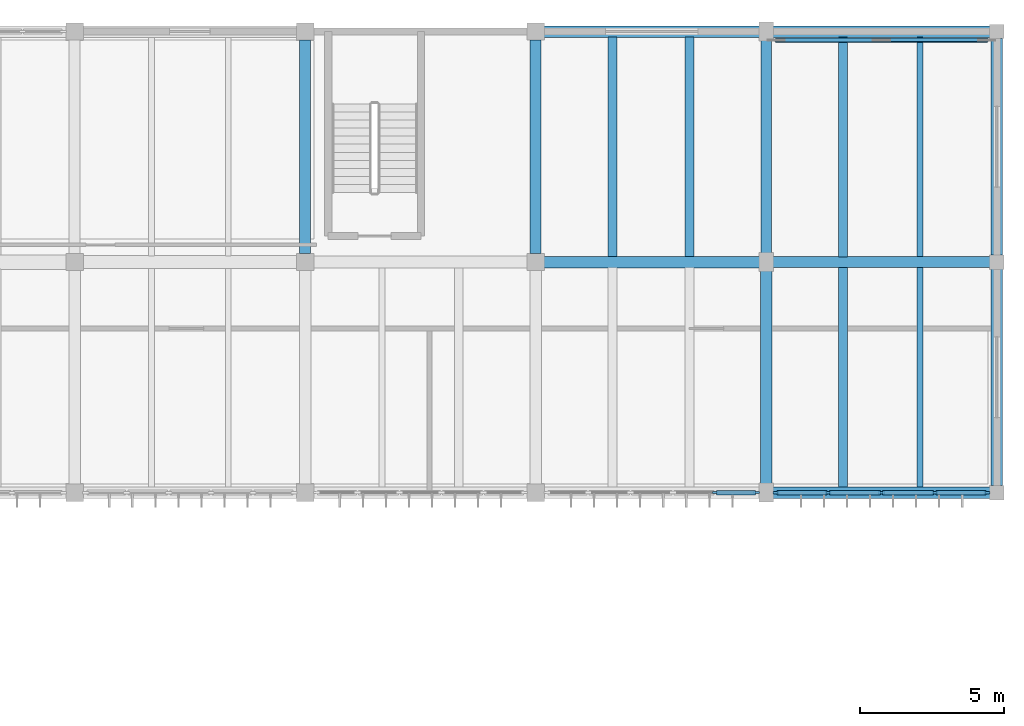
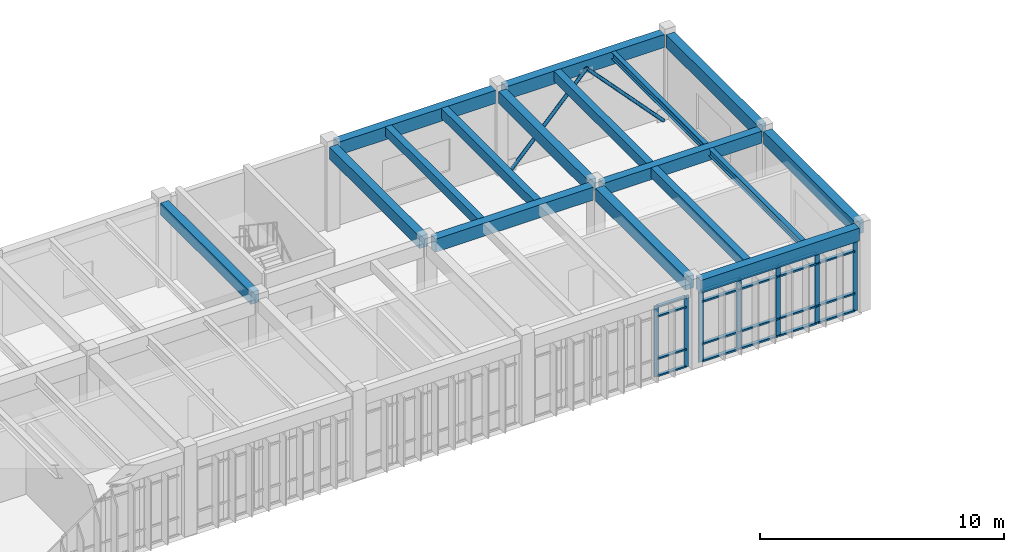
# One storey, part 33 of 79: 29 members, 17 beams, 2 elements without a shape of their own.
"""IFC4 building model written with IfcOpenShell, lengths in metres."""

from ifc_helpers import new_model, si_unit, direction, frame, origin, origin_2d, place, context, subcontext, project, spatial, rectangle, hollow_circle, i_section, extrude, material, material_profile, profile_set, type_object, element, aggregate, save


model = new_model("IFC4")

# Units and contexts
model_context = context("Model", 3, precision=1e-05, world=origin(), true_north=direction((0.0, 1.0)))
body_context = subcontext(model_context, "Body", "Model", "MODEL_VIEW")
ifc_project = project(units=[si_unit("LENGTHUNIT", "METRE"), si_unit("AREAUNIT", "SQUARE_METRE"), si_unit("VOLUMEUNIT", "CUBIC_METRE"), si_unit("PLANEANGLEUNIT", "RADIAN"), si_unit("MASSUNIT", "GRAM", prefix="KILO")], contexts=[model_context])

# Site, building, storey
site_placement = place(None, origin())
site = spatial("IfcSite", under=ifc_project, at=site_placement, CompositionType="ELEMENT")
building_placement = place(site_placement, origin())
building = spatial("IfcBuilding", under=site, at=building_placement, Name="Tlaxcora Railside Police Headquarters", CompositionType="ELEMENT")
storey_placement = place(building_placement, frame((0.0, 0.0, 9.0)))
storey = spatial("IfcBuildingStorey", under=building, at=storey_placement, Name="L02", CompositionType="ELEMENT", Elevation=9.0)

# Curtain wall, members
ifc_material_1 = material(Name="Thermally broken low-E insulated glazing", Category="glass")
curtain_wall_type_1 = type_object("IfcCurtainWallType", Name="Unitised Curtain Wall Assembly CW-15", PredefinedType="NOTDEFINED", material=ifc_material_1)
curtain_wall_1_placement = place(storey_placement, origin())
curtain_wall_1 = element("IfcCurtainWall", 1, at=curtain_wall_1_placement, inside=storey, type_object=curtain_wall_type_1, Name="V6 L02 curtain wall 158", PredefinedType="NOTDEFINED")
ifc_material_2 = material(Name="Anodised aluminium framing", Category="aluminium")
ifc_material_profile_1 = material_profile(ifc_material_2, rectangle(XDim=0.074951171875, YDim=0.199951171875, at=origin_2d()), Name="AL75X200")
ifc_profile_set_1 = profile_set([ifc_material_profile_1], Name="Anodised aluminium framing")
member_type_1 = type_object("IfcMemberType", Name="Curtain Wall Mullion CW-58", PredefinedType="MULLION", material=ifc_profile_set_1)
member_1_placement = place(storey_placement, frame((149.030029296875, 76.800048828125, 0.0), z_axis=(0.0, 0.0, 1.0), x_axis=(0.0, 1.0, 0.0)))
member_1 = element("IfcMember", 2, at=member_1_placement, type_object=member_type_1, Name="CW mullion 5", PredefinedType="MULLION", context=body_context, shape_type="SweptSolid", body=[
    extrude(rectangle(XDim=0.074951171875, YDim=0.199951171875, at=origin_2d()), origin(), (0.0, 0.0, 1.0), 3.550048828125),
])
member_2_placement = place(storey_placement, frame((150.46240234375, 76.800048828125, 0.0), z_axis=(0.0, 0.0, 1.0), x_axis=(0.0, 1.0, 0.0)))
member_2 = element("IfcMember", 3, at=member_2_placement, type_object=member_type_1, Name="CW mullion 6", PredefinedType="MULLION", context=body_context, shape_type="SweptSolid", body=[
    extrude(rectangle(XDim=0.074951171875, YDim=0.199951171875, at=origin_2d()), origin(), (0.0, 0.0, 1.0), 3.550048828125),
])

curtain_wall_type_2 = type_object("IfcCurtainWallType", Name="Unitised Curtain Wall Assembly CW-83", PredefinedType="NOTDEFINED", material=ifc_material_1)
curtain_wall_2_placement = place(storey_placement, origin())
curtain_wall_2 = element("IfcCurtainWall", 4, at=curtain_wall_2_placement, inside=storey, type_object=curtain_wall_type_2, Name="V6 L02 curtain wall 159", PredefinedType="NOTDEFINED")
ifc_material_profile_2 = material_profile(ifc_material_2, rectangle(XDim=0.080078125, YDim=0.2099609375, at=origin_2d()), Name="AL80X210")
ifc_profile_set_2 = profile_set([ifc_material_profile_2], Name="Anodised aluminium framing")
member_type_2 = type_object("IfcMemberType", Name="Curtain Wall Mullion CW-76", PredefinedType="MULLION", material=ifc_profile_set_2)
member_3_placement = place(storey_placement, frame((151.139892578125, 76.800048828125, 0.0), z_axis=(0.0, 0.0, 1.0), x_axis=(0.0, 1.0, 0.0)))
member_3 = element("IfcMember", 5, at=member_3_placement, type_object=member_type_2, Name="CW mullion 1", PredefinedType="MULLION", context=body_context, shape_type="SweptSolid", body=[
    extrude(rectangle(XDim=0.080078125, YDim=0.2099609375, at=origin_2d()), origin(), (0.0, 0.0, 1.0), 3.550048828125),
])
member_4_placement = place(storey_placement, frame((152.949951171875, 76.800048828125, 0.0), z_axis=(0.0, 0.0, 1.0), x_axis=(0.0, 1.0, 0.0)))
member_4 = element("IfcMember", 6, at=member_4_placement, type_object=member_type_2, Name="CW mullion 2", PredefinedType="MULLION", context=body_context, shape_type="SweptSolid", body=[
    extrude(rectangle(XDim=0.080078125, YDim=0.2099609375, at=origin_2d()), origin(), (0.0, 0.0, 1.0), 3.550048828125),
])
member_5_placement = place(storey_placement, frame((154.800048828125, 76.800048828125, 0.0), z_axis=(0.0, 0.0, 1.0), x_axis=(0.0, 1.0, 0.0)))
member_5 = element("IfcMember", 7, at=member_5_placement, type_object=member_type_2, Name="CW mullion 3", PredefinedType="MULLION", context=body_context, shape_type="SweptSolid", body=[
    extrude(rectangle(XDim=0.080078125, YDim=0.2099609375, at=origin_2d()), origin(), (0.0, 0.0, 1.0), 3.550048828125),
])
member_6_placement = place(storey_placement, frame((156.64990234375, 76.800048828125, 0.0), z_axis=(0.0, 0.0, 1.0), x_axis=(0.0, 1.0, 0.0)))
member_6 = element("IfcMember", 8, at=member_6_placement, type_object=member_type_2, Name="CW mullion 4", PredefinedType="MULLION", context=body_context, shape_type="SweptSolid", body=[
    extrude(rectangle(XDim=0.080078125, YDim=0.2099609375, at=origin_2d()), origin(), (0.0, 0.0, 1.0), 3.550048828125),
])
member_7_placement = place(storey_placement, frame((158.4599609375, 76.800048828125, 0.0), z_axis=(0.0, 0.0, 1.0), x_axis=(0.0, 1.0, 0.0)))
member_7 = element("IfcMember", 9, at=member_7_placement, type_object=member_type_2, Name="CW mullion 5", PredefinedType="MULLION", context=body_context, shape_type="SweptSolid", body=[
    extrude(rectangle(XDim=0.080078125, YDim=0.2099609375, at=origin_2d()), origin(), (0.0, 0.0, 1.0), 3.550048828125),
])

# Member
ifc_material_profile_3 = material_profile(ifc_material_2, rectangle(XDim=0.14990234375, YDim=0.074951171875, at=origin_2d()), Name="AL75X150")
ifc_profile_set_3 = profile_set([ifc_material_profile_3], Name="Anodised aluminium framing")
member_type_3 = type_object("IfcMemberType", Name="Curtain Wall Transom CW-28", PredefinedType="USERDEFINED", material=ifc_profile_set_3)
member_8_placement = place(storey_placement, frame((149.0673828125, 76.800048828125, 0.03759765625), z_axis=(1.0, 0.0, 0.0), x_axis=(0.0, 1.0, 0.0)))
member_8 = element("IfcMember", 10, at=member_8_placement, type_object=member_type_3, Name="CW transom 5.1", ObjectType="TRANSOM", PredefinedType="USERDEFINED", context=body_context, shape_type="SweptSolid", body=[
    extrude(rectangle(XDim=0.14990234375, YDim=0.074951171875, at=origin_2d()), origin(), (0.0, 0.0, 1.0), 1.357666015625),
])

member_9_placement = place(storey_placement, frame((149.0673828125, 76.800048828125, 0.89990234375), z_axis=(1.0, 0.0, 0.0), x_axis=(0.0, 1.0, 0.0)))
member_9 = element("IfcMember", 11, at=member_9_placement, type_object=member_type_3, Name="CW transom 5.2", ObjectType="TRANSOM", PredefinedType="USERDEFINED", context=body_context, shape_type="SweptSolid", body=[
    extrude(rectangle(XDim=0.14990234375, YDim=0.074951171875, at=origin_2d()), origin(), (0.0, 0.0, 1.0), 1.357666015625),
])

member_10_placement = place(storey_placement, frame((149.0673828125, 76.800048828125, 3.02001953125), z_axis=(1.0, 0.0, 0.0), x_axis=(0.0, 1.0, 0.0)))
member_10 = element("IfcMember", 12, at=member_10_placement, type_object=member_type_3, Name="CW transom 5.3", ObjectType="TRANSOM", PredefinedType="USERDEFINED", context=body_context, shape_type="SweptSolid", body=[
    extrude(rectangle(XDim=0.14990234375, YDim=0.074951171875, at=origin_2d()), origin(), (0.0, 0.0, 1.0), 1.357666015625),
])

member_11_placement = place(storey_placement, frame((149.0673828125, 76.800048828125, 3.512451171875), z_axis=(1.0, 0.0, 0.0), x_axis=(0.0, 1.0, 0.0)))
member_11 = element("IfcMember", 13, at=member_11_placement, type_object=member_type_3, Name="CW transom 5.4", ObjectType="TRANSOM", PredefinedType="USERDEFINED", context=body_context, shape_type="SweptSolid", body=[
    extrude(rectangle(XDim=0.14990234375, YDim=0.074951171875, at=origin_2d()), origin(), (0.0, 0.0, 1.0), 1.357666015625),
])

aggregate(curtain_wall_1, [member_1, member_2, member_8, member_9, member_10, member_11])

ifc_material_profile_4 = material_profile(ifc_material_2, rectangle(XDim=0.159912109375, YDim=0.080078125, at=origin_2d()), Name="AL80X160")
ifc_profile_set_4 = profile_set([ifc_material_profile_4], Name="Anodised aluminium framing")
member_type_4 = type_object("IfcMemberType", Name="Curtain Wall Transom CW-82", PredefinedType="USERDEFINED", material=ifc_profile_set_4)
member_12_placement = place(storey_placement, frame((151.179931640625, 76.800048828125, 0.0400390625), z_axis=(1.0, 0.0, 0.0), x_axis=(0.0, 1.0, 0.0)))
member_12 = element("IfcMember", 14, at=member_12_placement, type_object=member_type_4, Name="CW transom 1.1", ObjectType="TRANSOM", PredefinedType="USERDEFINED", context=body_context, shape_type="SweptSolid", body=[
    extrude(rectangle(XDim=0.159912109375, YDim=0.080078125, at=origin_2d()), origin(), (0.0, 0.0, 1.0), 1.72998046875),
])

member_13_placement = place(storey_placement, frame((151.179931640625, 76.800048828125, 0.89990234375), z_axis=(1.0, 0.0, 0.0), x_axis=(0.0, 1.0, 0.0)))
member_13 = element("IfcMember", 15, at=member_13_placement, type_object=member_type_4, Name="CW transom 1.2", ObjectType="TRANSOM", PredefinedType="USERDEFINED", context=body_context, shape_type="SweptSolid", body=[
    extrude(rectangle(XDim=0.159912109375, YDim=0.080078125, at=origin_2d()), origin(), (0.0, 0.0, 1.0), 1.72998046875),
])

member_14_placement = place(storey_placement, frame((151.179931640625, 76.800048828125, 3.02001953125), z_axis=(1.0, 0.0, 0.0), x_axis=(0.0, 1.0, 0.0)))
member_14 = element("IfcMember", 16, at=member_14_placement, type_object=member_type_4, Name="CW transom 1.3", ObjectType="TRANSOM", PredefinedType="USERDEFINED", context=body_context, shape_type="SweptSolid", body=[
    extrude(rectangle(XDim=0.159912109375, YDim=0.080078125, at=origin_2d()), origin(), (0.0, 0.0, 1.0), 1.72998046875),
])

member_15_placement = place(storey_placement, frame((151.179931640625, 76.800048828125, 3.510009765625), z_axis=(1.0, 0.0, 0.0), x_axis=(0.0, 1.0, 0.0)))
member_15 = element("IfcMember", 17, at=member_15_placement, type_object=member_type_4, Name="CW transom 1.4", ObjectType="TRANSOM", PredefinedType="USERDEFINED", context=body_context, shape_type="SweptSolid", body=[
    extrude(rectangle(XDim=0.159912109375, YDim=0.080078125, at=origin_2d()), origin(), (0.0, 0.0, 1.0), 1.72998046875),
])

member_16_placement = place(storey_placement, frame((152.989990234375, 76.800048828125, 0.0400390625), z_axis=(1.0, 0.0, 0.0), x_axis=(0.0, 1.0, 0.0)))
member_16 = element("IfcMember", 18, at=member_16_placement, type_object=member_type_4, Name="CW transom 2.1", ObjectType="TRANSOM", PredefinedType="USERDEFINED", context=body_context, shape_type="SweptSolid", body=[
    extrude(rectangle(XDim=0.159912109375, YDim=0.080078125, at=origin_2d()), origin(), (0.0, 0.0, 1.0), 1.77001953125),
])

member_17_placement = place(storey_placement, frame((152.989990234375, 76.800048828125, 0.89990234375), z_axis=(1.0, 0.0, 0.0), x_axis=(0.0, 1.0, 0.0)))
member_17 = element("IfcMember", 19, at=member_17_placement, type_object=member_type_4, Name="CW transom 2.2", ObjectType="TRANSOM", PredefinedType="USERDEFINED", context=body_context, shape_type="SweptSolid", body=[
    extrude(rectangle(XDim=0.159912109375, YDim=0.080078125, at=origin_2d()), origin(), (0.0, 0.0, 1.0), 1.77001953125),
])

member_18_placement = place(storey_placement, frame((152.989990234375, 76.800048828125, 3.02001953125), z_axis=(1.0, 0.0, 0.0), x_axis=(0.0, 1.0, 0.0)))
member_18 = element("IfcMember", 20, at=member_18_placement, type_object=member_type_4, Name="CW transom 2.3", ObjectType="TRANSOM", PredefinedType="USERDEFINED", context=body_context, shape_type="SweptSolid", body=[
    extrude(rectangle(XDim=0.159912109375, YDim=0.080078125, at=origin_2d()), origin(), (0.0, 0.0, 1.0), 1.77001953125),
])

member_19_placement = place(storey_placement, frame((152.989990234375, 76.800048828125, 3.510009765625), z_axis=(1.0, 0.0, 0.0), x_axis=(0.0, 1.0, 0.0)))
member_19 = element("IfcMember", 21, at=member_19_placement, type_object=member_type_4, Name="CW transom 2.4", ObjectType="TRANSOM", PredefinedType="USERDEFINED", context=body_context, shape_type="SweptSolid", body=[
    extrude(rectangle(XDim=0.159912109375, YDim=0.080078125, at=origin_2d()), origin(), (0.0, 0.0, 1.0), 1.77001953125),
])

member_20_placement = place(storey_placement, frame((154.840087890625, 76.800048828125, 0.0400390625), z_axis=(1.0, 0.0, 0.0), x_axis=(0.0, 1.0, 0.0)))
member_20 = element("IfcMember", 22, at=member_20_placement, type_object=member_type_4, Name="CW transom 3.1", ObjectType="TRANSOM", PredefinedType="USERDEFINED", context=body_context, shape_type="SweptSolid", body=[
    extrude(rectangle(XDim=0.159912109375, YDim=0.080078125, at=origin_2d()), origin(), (0.0, 0.0, 1.0), 1.77001953125),
])

member_21_placement = place(storey_placement, frame((154.840087890625, 76.800048828125, 0.89990234375), z_axis=(1.0, 0.0, 0.0), x_axis=(0.0, 1.0, 0.0)))
member_21 = element("IfcMember", 23, at=member_21_placement, type_object=member_type_4, Name="CW transom 3.2", ObjectType="TRANSOM", PredefinedType="USERDEFINED", context=body_context, shape_type="SweptSolid", body=[
    extrude(rectangle(XDim=0.159912109375, YDim=0.080078125, at=origin_2d()), origin(), (0.0, 0.0, 1.0), 1.77001953125),
])

member_22_placement = place(storey_placement, frame((154.840087890625, 76.800048828125, 3.02001953125), z_axis=(1.0, 0.0, 0.0), x_axis=(0.0, 1.0, 0.0)))
member_22 = element("IfcMember", 24, at=member_22_placement, type_object=member_type_4, Name="CW transom 3.3", ObjectType="TRANSOM", PredefinedType="USERDEFINED", context=body_context, shape_type="SweptSolid", body=[
    extrude(rectangle(XDim=0.159912109375, YDim=0.080078125, at=origin_2d()), origin(), (0.0, 0.0, 1.0), 1.77001953125),
])

member_23_placement = place(storey_placement, frame((154.840087890625, 76.800048828125, 3.510009765625), z_axis=(1.0, 0.0, 0.0), x_axis=(0.0, 1.0, 0.0)))
member_23 = element("IfcMember", 25, at=member_23_placement, type_object=member_type_4, Name="CW transom 3.4", ObjectType="TRANSOM", PredefinedType="USERDEFINED", context=body_context, shape_type="SweptSolid", body=[
    extrude(rectangle(XDim=0.159912109375, YDim=0.080078125, at=origin_2d()), origin(), (0.0, 0.0, 1.0), 1.77001953125),
])

member_24_placement = place(storey_placement, frame((156.68994140625, 76.800048828125, 0.0400390625), z_axis=(1.0, 0.0, 0.0), x_axis=(0.0, 1.0, 0.0)))
member_24 = element("IfcMember", 26, at=member_24_placement, type_object=member_type_4, Name="CW transom 4.1", ObjectType="TRANSOM", PredefinedType="USERDEFINED", context=body_context, shape_type="SweptSolid", body=[
    extrude(rectangle(XDim=0.159912109375, YDim=0.080078125, at=origin_2d()), origin(), (0.0, 0.0, 1.0), 1.72998046875),
])

member_25_placement = place(storey_placement, frame((156.68994140625, 76.800048828125, 0.89990234375), z_axis=(1.0, 0.0, 0.0), x_axis=(0.0, 1.0, 0.0)))
member_25 = element("IfcMember", 27, at=member_25_placement, type_object=member_type_4, Name="CW transom 4.2", ObjectType="TRANSOM", PredefinedType="USERDEFINED", context=body_context, shape_type="SweptSolid", body=[
    extrude(rectangle(XDim=0.159912109375, YDim=0.080078125, at=origin_2d()), origin(), (0.0, 0.0, 1.0), 1.72998046875),
])

member_26_placement = place(storey_placement, frame((156.68994140625, 76.800048828125, 3.02001953125), z_axis=(1.0, 0.0, 0.0), x_axis=(0.0, 1.0, 0.0)))
member_26 = element("IfcMember", 28, at=member_26_placement, type_object=member_type_4, Name="CW transom 4.3", ObjectType="TRANSOM", PredefinedType="USERDEFINED", context=body_context, shape_type="SweptSolid", body=[
    extrude(rectangle(XDim=0.159912109375, YDim=0.080078125, at=origin_2d()), origin(), (0.0, 0.0, 1.0), 1.72998046875),
])

member_27_placement = place(storey_placement, frame((156.68994140625, 76.800048828125, 3.510009765625), z_axis=(1.0, 0.0, 0.0), x_axis=(0.0, 1.0, 0.0)))
member_27 = element("IfcMember", 29, at=member_27_placement, type_object=member_type_4, Name="CW transom 4.4", ObjectType="TRANSOM", PredefinedType="USERDEFINED", context=body_context, shape_type="SweptSolid", body=[
    extrude(rectangle(XDim=0.159912109375, YDim=0.080078125, at=origin_2d()), origin(), (0.0, 0.0, 1.0), 1.72998046875),
])

aggregate(curtain_wall_2, [member_3, member_4, member_5, member_6, member_7, member_12, member_13, member_14, member_15, member_16, member_17, member_18, member_19, member_20, member_21, member_22, member_23, member_24, member_25, member_26, member_27])

# Members
ifc_material_3 = material(Name="Steel ASTM A992 Grade 50", Category="steel")
ifc_material_profile_5 = material_profile(ifc_material_3, hollow_circle(Radius=0.083984375, WallThickness=0.008056640625, at=origin_2d()), Name="CHS168X8")
ifc_profile_set_5 = profile_set([ifc_material_profile_5], Name="Steel ASTM A992 Grade 50")
member_type_5 = type_object("IfcMemberType", Name="Diagonal Brace Member MB-55", PredefinedType="BRACE", material=ifc_profile_set_5)
for number, where, z_axis, x_axis, name in (
    (30, (151.14990234375, 92.5, 0.0), (0.683341881634, 0.0, 0.730098536367), (0.0, 1.0, 0.0), "Chevron brace 7A"),
    (31, (158.449951171875, 92.5, 0.0), (-0.683317517493, 0.0, 0.730121339427), (0.0, -1.0, 0.0), "Chevron brace 7B"),
):
    element("IfcMember", number, at=place(storey_placement, frame(where, z_axis=z_axis, x_axis=x_axis)), inside=storey, type_object=member_type_5, Name=name, PredefinedType="BRACE", context=body_context, shape_type="SweptSolid", body=[
        extrude(hollow_circle(Radius=0.083984375, WallThickness=0.008056640625, at=origin_2d()), origin(), (0.0, 0.0, 1.0), 5.341552734375),
    ])

# Beams
ifc_material_4 = material(Name="Concrete C40/50", Category="concrete")
ifc_material_profile_6 = material_profile(ifc_material_4, rectangle(XDim=0.39990234375, YDim=0.64990234375, at=origin_2d()), Name="RC400X650")
ifc_profile_set_6 = profile_set([ifc_material_profile_6], Name="Concrete C40/50")
beam_type_1 = type_object("IfcBeamType", Name="Perimeter Spandrel Beam BM-46", PredefinedType="SPANDREL", material=ifc_profile_set_6)
beam_1_placement = place(storey_placement, frame((151.0400390625, 76.800048828125, 3.89501953125), z_axis=(1.0, 0.0, 0.0), x_axis=(0.0, 1.0, 0.0)))
element("IfcBeam", 32, at=beam_1_placement, inside=storey, type_object=beam_type_1, Name="V6 L02 X-girder Y=76.8", PredefinedType="SPANDREL", context=body_context, shape_type="SweptSolid", body=[
    extrude(rectangle(XDim=0.39990234375, YDim=0.64990234375, at=origin_2d()), origin(), (0.0, 0.0, 1.0), 7.52001953125),
])
beam_2_placement = place(storey_placement, frame((143.090087890625, 92.800048828125, 3.89501953125), z_axis=(1.0, 0.0, 0.0), x_axis=(0.0, 1.0, 0.0)))
element("IfcBeam", 33, at=beam_2_placement, inside=storey, type_object=beam_type_1, Name="V6 L02 X-girder Y=92.8", PredefinedType="SPANDREL", context=body_context, shape_type="SweptSolid", body=[
    extrude(rectangle(XDim=0.39990234375, YDim=0.64990234375, at=origin_2d()), origin(), (0.0, 0.0, 1.0), 7.469970703125),
])
for number, where, z_axis, x_axis, name in (
    (34, (151.0400390625, 92.800048828125, 3.89501953125), (1.0, 0.0, 0.0), (0.0, 1.0, 0.0), "V6 L02 X-girder Y=92.8"),
    (35, (158.800048828125, 77.0400390625, 3.89501953125), (0.0, 1.0, 0.0), (-1.0, 0.0, 0.0), "V6 L02 Y-girder X=158.8"),
    (36, (158.800048828125, 85.0400390625, 3.89501953125), (0.0, 1.0, 0.0), (-1.0, 0.0, 0.0), "V6 L02 Y-girder X=158.8"),
):
    element("IfcBeam", number, at=place(storey_placement, frame(where, z_axis=z_axis, x_axis=x_axis)), inside=storey, type_object=beam_type_1, Name=name, PredefinedType="SPANDREL", context=body_context, shape_type="SweptSolid", body=[
        extrude(rectangle(XDim=0.39990234375, YDim=0.64990234375, at=origin_2d()), origin(), (0.0, 0.0, 1.0), 7.52001953125),
    ])
ifc_material_profile_7 = material_profile(ifc_material_4, rectangle(XDim=0.3798828125, YDim=0.60009765625, at=origin_2d()), Name="RC380X600")
ifc_profile_set_7 = profile_set([ifc_material_profile_7], Name="Concrete C40/50")
beam_type_2 = type_object("IfcBeamType", Name="Primary Frame Girder BM-22", PredefinedType="BEAM", material=ifc_profile_set_7)
beam_3_placement = place(storey_placement, frame((151.0400390625, 84.800048828125, 3.919921875), z_axis=(1.0, 0.0, 0.0), x_axis=(0.0, 1.0, 0.0)))
element("IfcBeam", 37, at=beam_3_placement, inside=storey, type_object=beam_type_2, Name="V6 L02 X-girder Y=84.8", PredefinedType="BEAM", context=body_context, shape_type="SweptSolid", body=[
    extrude(rectangle(XDim=0.3798828125, YDim=0.60009765625, at=origin_2d()), origin(), (0.0, 0.0, 1.0), 7.52001953125),
])
for number, where, z_axis, x_axis, name in (
    (38, (134.800048828125, 85.090087890625, 3.919921875), (0.0, 1.0, 0.0), (-1.0, 0.0, 0.0), "V6 L02 Y-girder X=134.8"),
    (39, (142.800048828125, 85.090087890625, 3.919921875), (0.0, 1.0, 0.0), (-1.0, 0.0, 0.0), "V6 L02 Y-girder X=142.8"),
):
    element("IfcBeam", number, at=place(storey_placement, frame(where, z_axis=z_axis, x_axis=x_axis)), inside=storey, type_object=beam_type_2, Name=name, PredefinedType="BEAM", context=body_context, shape_type="SweptSolid", body=[
        extrude(rectangle(XDim=0.3798828125, YDim=0.60009765625, at=origin_2d()), origin(), (0.0, 0.0, 1.0), 7.419921875),
    ])
beam_4_placement = place(storey_placement, frame((150.800048828125, 85.114990234375, 3.919921875), z_axis=(0.0, 1.0, 0.0), x_axis=(-1.0, 0.0, 0.0)))
element("IfcBeam", 40, at=beam_4_placement, inside=storey, type_object=beam_type_2, Name="V6 L02 Y-girder X=150.8", PredefinedType="BEAM", context=body_context, shape_type="SweptSolid", body=[
    extrude(rectangle(XDim=0.3798828125, YDim=0.60009765625, at=origin_2d()), origin(), (0.0, 0.0, 1.0), 7.3701171875),
])
ifc_material_profile_8 = material_profile(ifc_material_4, rectangle(XDim=0.39990234375, YDim=0.64990234375, at=origin_2d()), Name="RC400X650")
ifc_profile_set_8 = profile_set([ifc_material_profile_8], Name="Concrete C40/50")
beam_type_3 = type_object("IfcBeamType", Name="Primary Frame Girder BM-41", PredefinedType="BEAM", material=ifc_profile_set_8)
beam_5_placement = place(storey_placement, frame((143.090087890625, 84.800048828125, 3.89501953125), z_axis=(1.0, 0.0, 0.0), x_axis=(0.0, 1.0, 0.0)))
element("IfcBeam", 41, at=beam_5_placement, inside=storey, type_object=beam_type_3, Name="V6 L02 X-girder Y=84.8", PredefinedType="BEAM", context=body_context, shape_type="SweptSolid", body=[
    extrude(rectangle(XDim=0.39990234375, YDim=0.64990234375, at=origin_2d()), origin(), (0.0, 0.0, 1.0), 7.469970703125),
])
beam_6_placement = place(storey_placement, frame((150.800048828125, 77.114990234375, 3.89501953125), z_axis=(0.0, 1.0, 0.0), x_axis=(-1.0, 0.0, 0.0)))
element("IfcBeam", 42, at=beam_6_placement, inside=storey, type_object=beam_type_3, Name="V6 L02 Y-girder X=150.8", PredefinedType="BEAM", context=body_context, shape_type="SweptSolid", body=[
    extrude(rectangle(XDim=0.39990234375, YDim=0.64990234375, at=origin_2d()), origin(), (0.0, 0.0, 1.0), 7.3701171875),
])
ifc_material_5 = material(Name="Concrete C35/45", Category="concrete")
ifc_material_profile_9 = material_profile(ifc_material_5, rectangle(XDim=0.300048828125, YDim=0.449951171875, at=origin_2d()), Name="RC300X450")
ifc_profile_set_9 = profile_set([ifc_material_profile_9], Name="Concrete C35/45")
beam_type_4 = type_object("IfcBeamType", Name="Secondary Floor Joist BM-27", PredefinedType="JOIST", material=ifc_profile_set_9)
beam_7_placement = place(storey_placement, frame((145.466796875, 84.991943359375, 3.9951171875), z_axis=(0.0, 1.0, 0.0), x_axis=(-1.0, 0.0, 0.0)))
element("IfcBeam", 43, at=beam_7_placement, inside=storey, type_object=beam_type_4, Name="V6 L02 floor joist X=145.47", PredefinedType="JOIST", context=body_context, shape_type="SweptSolid", body=[
    extrude(rectangle(XDim=0.300048828125, YDim=0.449951171875, at=origin_2d()), origin(), (0.0, 0.0, 1.0), 7.615966796875),
])
ifc_material_profile_10 = material_profile(ifc_material_3, i_section(OverallWidth=0.2041015625, OverallDepth=0.35009765625, WebThickness=0.008544921875, FlangeThickness=0.01513671875, at=origin_2d()), Name="W14X48")
ifc_profile_set_10 = profile_set([ifc_material_profile_10], Name="Steel ASTM A992 Grade 50")
beam_type_5 = type_object("IfcBeamType", Name="Secondary Floor Joist BM-65", PredefinedType="JOIST", material=ifc_profile_set_10)
for number, where, z_axis, x_axis, name in (
    (44, (156.13330078125, 76.991943359375, 4.044921875), (0.0, 1.0, 0.0), (-1.0, 0.0, 0.0), "V6 L02 floor joist X=156.13"),
    (45, (156.13330078125, 84.98193359375, 4.044921875), (0.0, 1.0, 0.0), (-1.0, 0.0, 0.0), "V6 L02 floor joist X=156.13"),
):
    element("IfcBeam", number, at=place(storey_placement, frame(where, z_axis=z_axis, x_axis=x_axis)), inside=storey, type_object=beam_type_5, Name=name, PredefinedType="JOIST", context=body_context, shape_type="SweptSolid", body=[
        extrude(i_section(OverallWidth=0.2041015625, OverallDepth=0.35009765625, WebThickness=0.008544921875, FlangeThickness=0.01513671875, at=origin_2d()), origin(), (0.0, 0.0, 1.0), 7.6259765625),
    ])
ifc_material_profile_11 = material_profile(ifc_material_5, rectangle(XDim=0.320068359375, YDim=0.5, at=origin_2d()), Name="RC320X500")
ifc_profile_set_11 = profile_set([ifc_material_profile_11], Name="Concrete C35/45")
beam_type_6 = type_object("IfcBeamType", Name="Secondary Floor Joist BM-88", PredefinedType="JOIST", material=ifc_profile_set_11)
beam_8_placement = place(storey_placement, frame((153.466796875, 76.991943359375, 3.969970703125), z_axis=(0.0, 1.0, 0.0), x_axis=(-1.0, 0.0, 0.0)))
element("IfcBeam", 46, at=beam_8_placement, inside=storey, type_object=beam_type_6, Name="V6 L02 floor joist X=153.47", PredefinedType="JOIST", context=body_context, shape_type="SweptSolid", body=[
    extrude(rectangle(XDim=0.320068359375, YDim=0.5, at=origin_2d()), origin(), (0.0, 0.0, 1.0), 7.6259765625),
])
beam_9_placement = place(storey_placement, frame((148.13330078125, 84.991943359375, 3.969970703125), z_axis=(0.0, 1.0, 0.0), x_axis=(-1.0, 0.0, 0.0)))
element("IfcBeam", 47, at=beam_9_placement, inside=storey, type_object=beam_type_6, Name="V6 L02 floor joist X=148.13", PredefinedType="JOIST", context=body_context, shape_type="SweptSolid", body=[
    extrude(rectangle(XDim=0.320068359375, YDim=0.5, at=origin_2d()), origin(), (0.0, 0.0, 1.0), 7.615966796875),
])
beam_10_placement = place(storey_placement, frame((153.466796875, 84.98193359375, 3.969970703125), z_axis=(0.0, 1.0, 0.0), x_axis=(-1.0, 0.0, 0.0)))
element("IfcBeam", 48, at=beam_10_placement, inside=storey, type_object=beam_type_6, Name="V6 L02 floor joist X=153.47", PredefinedType="JOIST", context=body_context, shape_type="SweptSolid", body=[
    extrude(rectangle(XDim=0.320068359375, YDim=0.5, at=origin_2d()), origin(), (0.0, 0.0, 1.0), 7.6259765625),
])

save(model, "model.ifc")
